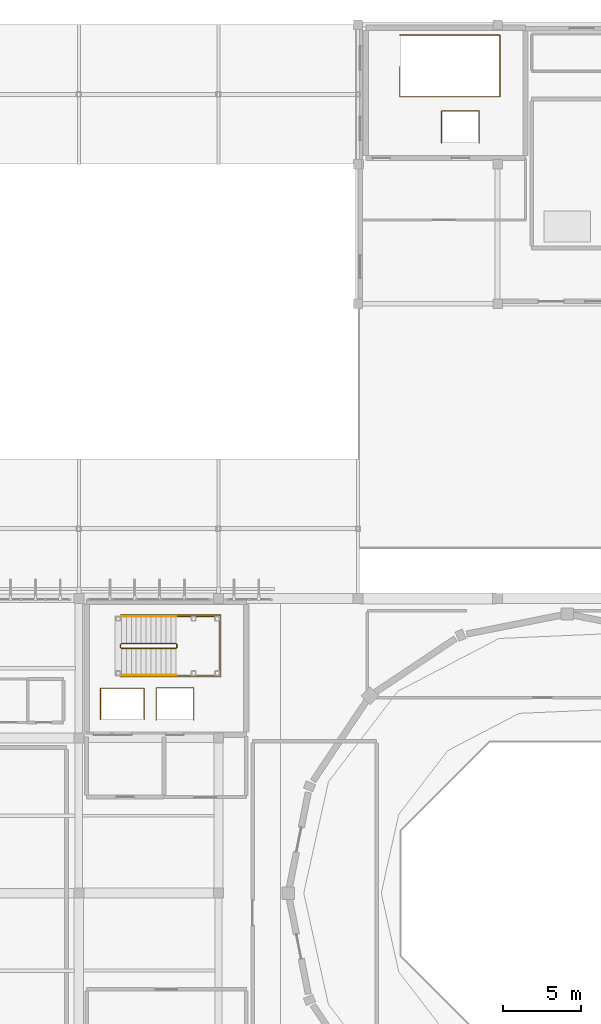
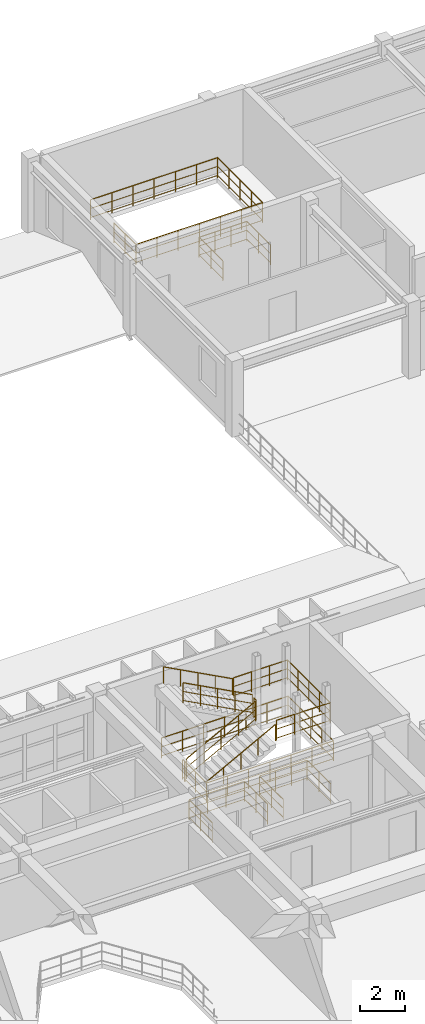
# One storey, part 78 of 80: 12 railings.
"""IFC4 building model written with IfcOpenShell, lengths in metres."""

from ifc_helpers import new_model, si_unit, direction, frame, origin, origin_2d, place, context, subcontext, project, spatial, circle, extrude, material, type_object, element, save


model = new_model("IFC4")

# Units and contexts
model_context = context("Model", 3, precision=1e-05, world=origin(), true_north=direction((0.0, 1.0)))
body_context = subcontext(model_context, "Body", "Model", "MODEL_VIEW")
ifc_project = project(units=[si_unit("LENGTHUNIT", "METRE"), si_unit("AREAUNIT", "SQUARE_METRE"), si_unit("VOLUMEUNIT", "CUBIC_METRE"), si_unit("PLANEANGLEUNIT", "RADIAN"), si_unit("MASSUNIT", "GRAM", prefix="KILO")], contexts=[model_context])

# Site, building, storey
site_placement = place(None, origin())
site = spatial("IfcSite", under=ifc_project, at=site_placement, CompositionType="ELEMENT")
building_placement = place(site_placement, origin())
building = spatial("IfcBuilding", under=site, at=building_placement, Name="Miravela Opera House", CompositionType="ELEMENT")
storey_placement = place(building_placement, frame((0.0, 0.0, 17.679931640625)))
storey = spatial("IfcBuildingStorey", under=building, at=storey_placement, Name="L04", CompositionType="ELEMENT", Elevation=17.679931640625)

# Railings
ifc_material_1 = material(Name="Brushed bronze continuous stair handrail")
railing_type_1 = type_object("IfcRailingType", Name="ARC-RAIL-HAND-900", PredefinedType="HANDRAIL", material=ifc_material_1)
railing_1_placement = place(storey_placement, frame((47.739990234375, 70.050048828125, 0.170166015625)))
element("IfcRailing", 1, at=railing_1_placement, inside=storey, type_object=railing_type_1, Name="L04 ST-01 stair handrail 1", PredefinedType="HANDRAIL", context=body_context, shape_type="SweptSolid", body=[
    extrude(circle(Radius=0.02392578125, at=origin_2d()), frame((0.0, 0.0, 0.8759765625), z_axis=(0.883129994055, 0.0, 0.469128355144), x_axis=(0.0, 1.0, 0.0)), (0.0, 0.0, 1.0), 3.98583984375),
    extrude(circle(Radius=0.02099609375, at=origin_2d()), origin(), (0.0, 0.0, 1.0), 0.851806640625),
    extrude(circle(Radius=0.02099609375, at=origin_2d()), frame((0.8798828125, 0.0, 0.467529296875)), (0.0, 0.0, 1.0), 0.851806640625),
    extrude(circle(Radius=0.02099609375, at=origin_2d()), frame((1.760009765625, 0.0, 0.93505859375)), (0.0, 0.0, 1.0), 0.851806640625),
    extrude(circle(Radius=0.02099609375, at=origin_2d()), frame((2.64013671875, 0.0, 1.40234375)), (0.0, 0.0, 1.0), 0.851806640625),
    extrude(circle(Radius=0.02099609375, at=origin_2d()), frame((3.52001953125, 0.0, 1.869873046875)), (0.0, 0.0, 1.0), 0.851806640625),
])
railing_2_placement = place(storey_placement, frame((51.260009765625, 73.830078125, 2.2099609375)))
element("IfcRailing", 2, at=railing_2_placement, inside=storey, type_object=railing_type_1, Name="L04 ST-01 stair handrail 2", PredefinedType="HANDRAIL", context=body_context, shape_type="SweptSolid", body=[
    extrude(circle(Radius=0.02392578125, at=origin_2d()), frame((0.0, 0.0, 0.8759765625), z_axis=(-0.883104616746, 0.0, 0.469176124586), x_axis=(0.0, -1.0, 0.0)), (0.0, 0.0, 1.0), 3.98583984375),
    extrude(circle(Radius=0.02099609375, at=origin_2d()), origin(), (0.0, 0.0, 1.0), 0.851806640625),
    extrude(circle(Radius=0.02099609375, at=origin_2d()), frame((-0.8798828125, 0.0, 0.467529296875)), (0.0, 0.0, 1.0), 0.851806640625),
    extrude(circle(Radius=0.02099609375, at=origin_2d()), frame((-1.760009765625, 0.0, 0.93505859375)), (0.0, 0.0, 1.0), 0.851806640625),
    extrude(circle(Radius=0.02099609375, at=origin_2d()), frame((-2.64013671875, 0.0, 1.402587890625)), (0.0, 0.0, 1.0), 0.851806640625),
    extrude(circle(Radius=0.02099609375, at=origin_2d()), frame((-3.52001953125, 0.0, 1.8701171875)), (0.0, 0.0, 1.0), 0.851806640625),
])
ifc_material_2 = material(Name="Painted wrought-iron stair guardrail")
railing_type_2 = type_object("IfcRailingType", Name="ARC-RAIL-STAIR-GUARD", PredefinedType="GUARDRAIL", material=ifc_material_2)
railing_3_placement = place(storey_placement, frame((47.739990234375, 71.7900390625, 0.170166015625)))
element("IfcRailing", 3, at=railing_3_placement, inside=storey, type_object=railing_type_2, Name="L04 ST-01 stair guard 1", PredefinedType="GUARDRAIL", context=body_context, shape_type="SweptSolid", body=[
    extrude(circle(Radius=0.02392578125, at=origin_2d()), frame((0.0, 0.0, 1.076171875), z_axis=(0.883129994055, 0.0, 0.469128355144), x_axis=(0.0, 1.0, 0.0)), (0.0, 0.0, 1.0), 3.98583984375),
    extrude(circle(Radius=0.01611328125, at=origin_2d()), frame((0.0, 0.0, 0.60498046875), z_axis=(0.883129994055, 0.0, 0.469128355144), x_axis=(0.0, 1.0, 0.0)), (0.0, 0.0, 1.0), 3.98583984375),
    extrude(circle(Radius=0.01611328125, at=origin_2d()), frame((0.0, 0.0, 0.1201171875), z_axis=(0.883129994055, 0.0, 0.469128355144), x_axis=(0.0, 1.0, 0.0)), (0.0, 0.0, 1.0), 3.98583984375),
    extrude(circle(Radius=0.02099609375, at=origin_2d()), origin(), (0.0, 0.0, 1.0), 1.052001953125),
    extrude(circle(Radius=0.02099609375, at=origin_2d()), frame((0.8798828125, 0.0, 0.467529296875)), (0.0, 0.0, 1.0), 1.052001953125),
    extrude(circle(Radius=0.02099609375, at=origin_2d()), frame((1.760009765625, 0.0, 0.93505859375)), (0.0, 0.0, 1.0), 1.052001953125),
    extrude(circle(Radius=0.02099609375, at=origin_2d()), frame((2.64013671875, 0.0, 1.40234375)), (0.0, 0.0, 1.0), 1.052001953125),
    extrude(circle(Radius=0.02099609375, at=origin_2d()), frame((3.52001953125, 0.0, 1.869873046875)), (0.0, 0.0, 1.0), 1.052001953125),
])
railing_4_placement = place(storey_placement, frame((51.31005859375, 71.840087890625, 2.0400390625)))
element("IfcRailing", 4, at=railing_4_placement, inside=storey, type_object=railing_type_2, Name="L04 ST-01 stair guard 2", PredefinedType="GUARDRAIL", context=body_context, shape_type="SweptSolid", body=[
    extrude(circle(Radius=0.02392578125, at=origin_2d()), frame((0.0, 0.0, 1.076171875), z_axis=(0.0, 1.0, 0.0), x_axis=(-1.0, 0.0, 0.0)), (0.0, 0.0, 1.0), 0.199951171875),
    extrude(circle(Radius=0.01611328125, at=origin_2d()), frame((0.0, 0.0, 0.60498046875), z_axis=(0.0, 1.0, 0.0), x_axis=(-1.0, 0.0, 0.0)), (0.0, 0.0, 1.0), 0.199951171875),
    extrude(circle(Radius=0.01611328125, at=origin_2d()), frame((0.0, 0.0, 0.1201171875), z_axis=(0.0, 1.0, 0.0), x_axis=(-1.0, 0.0, 0.0)), (0.0, 0.0, 1.0), 0.199951171875),
    extrude(circle(Radius=0.02099609375, at=origin_2d()), origin(), (0.0, 0.0, 1.0), 1.052001953125),
    extrude(circle(Radius=0.02099609375, at=origin_2d()), frame((0.0, 0.199951171875, 0.0)), (0.0, 0.0, 1.0), 1.052001953125),
])
railing_5_placement = place(storey_placement, frame((51.260009765625, 72.090087890625, 2.2099609375)))
element("IfcRailing", 5, at=railing_5_placement, inside=storey, type_object=railing_type_2, Name="L04 ST-01 stair guard 3", PredefinedType="GUARDRAIL", context=body_context, shape_type="SweptSolid", body=[
    extrude(circle(Radius=0.02392578125, at=origin_2d()), frame((0.0, 0.0, 1.076171875), z_axis=(-0.883104616746, 0.0, 0.469176124586), x_axis=(0.0, -1.0, 0.0)), (0.0, 0.0, 1.0), 3.98583984375),
    extrude(circle(Radius=0.01611328125, at=origin_2d()), frame((0.0, 0.0, 0.60498046875), z_axis=(-0.883104616746, 0.0, 0.469176124586), x_axis=(0.0, -1.0, 0.0)), (0.0, 0.0, 1.0), 3.98583984375),
    extrude(circle(Radius=0.01611328125, at=origin_2d()), frame((0.0, 0.0, 0.1201171875), z_axis=(-0.883104616746, 0.0, 0.469176124586), x_axis=(0.0, -1.0, 0.0)), (0.0, 0.0, 1.0), 3.98583984375),
    extrude(circle(Radius=0.02099609375, at=origin_2d()), origin(), (0.0, 0.0, 1.0), 1.052001953125),
    extrude(circle(Radius=0.02099609375, at=origin_2d()), frame((-0.8798828125, 0.0, 0.467529296875)), (0.0, 0.0, 1.0), 1.052001953125),
    extrude(circle(Radius=0.02099609375, at=origin_2d()), frame((-1.760009765625, 0.0, 0.93505859375)), (0.0, 0.0, 1.0), 1.052001953125),
    extrude(circle(Radius=0.02099609375, at=origin_2d()), frame((-2.64013671875, 0.0, 1.402587890625)), (0.0, 0.0, 1.0), 1.052001953125),
    extrude(circle(Radius=0.02099609375, at=origin_2d()), frame((-3.52001953125, 0.0, 1.8701171875)), (0.0, 0.0, 1.0), 1.052001953125),
])
railing_6_placement = place(storey_placement, frame((47.68994140625, 71.840087890625, 0.0)))
element("IfcRailing", 6, at=railing_6_placement, inside=storey, type_object=railing_type_2, Name="L04 ST-01 stair guard 4", PredefinedType="GUARDRAIL", context=body_context, shape_type="SweptSolid", body=[
    extrude(circle(Radius=0.02392578125, at=origin_2d()), frame((0.0, 0.0, 1.076171875), z_axis=(0.0, 1.0, 0.0), x_axis=(-1.0, 0.0, 0.0)), (0.0, 0.0, 1.0), 0.199951171875),
    extrude(circle(Radius=0.01611328125, at=origin_2d()), frame((0.0, 0.0, 0.60498046875), z_axis=(0.0, 1.0, 0.0), x_axis=(-1.0, 0.0, 0.0)), (0.0, 0.0, 1.0), 0.199951171875),
    extrude(circle(Radius=0.01611328125, at=origin_2d()), frame((0.0, 0.0, 0.1201171875), z_axis=(0.0, 1.0, 0.0), x_axis=(-1.0, 0.0, 0.0)), (0.0, 0.0, 1.0), 0.199951171875),
    extrude(circle(Radius=0.02099609375, at=origin_2d()), origin(), (0.0, 0.0, 1.0), 1.052001953125),
    extrude(circle(Radius=0.02099609375, at=origin_2d()), frame((0.0, 0.199951171875, 0.0)), (0.0, 0.0, 1.0), 1.052001953125),
])
railing_7_placement = place(storey_placement, frame((51.31005859375, 70.050048828125, 2.0400390625)))
element("IfcRailing", 7, at=railing_7_placement, inside=storey, type_object=railing_type_2, Name="Stair ST-01 Half-Landing Perimeter Guard (L04) 0006", PredefinedType="GUARDRAIL", context=body_context, shape_type="SweptSolid", body=[
    extrude(circle(Radius=0.02392578125, at=origin_2d()), frame((0.0, 0.0, 1.076171875), z_axis=(1.0, 0.0, 0.0), x_axis=(0.0, 1.0, 0.0)), (0.0, 0.0, 1.0), 2.739990234375),
    extrude(circle(Radius=0.01611328125, at=origin_2d()), frame((0.0, 0.0, 0.60498046875), z_axis=(1.0, 0.0, 0.0), x_axis=(0.0, 1.0, 0.0)), (0.0, 0.0, 1.0), 2.739990234375),
    extrude(circle(Radius=0.01611328125, at=origin_2d()), frame((0.0, 0.0, 0.1201171875), z_axis=(1.0, 0.0, 0.0), x_axis=(0.0, 1.0, 0.0)), (0.0, 0.0, 1.0), 2.739990234375),
    extrude(circle(Radius=0.02392578125, at=origin_2d()), frame((2.739990234375, 0.0, 1.076171875), z_axis=(0.0, 1.0, 0.0), x_axis=(-1.0, 0.0, 0.0)), (0.0, 0.0, 1.0), 3.780029296875),
    extrude(circle(Radius=0.01611328125, at=origin_2d()), frame((2.739990234375, 0.0, 0.60498046875), z_axis=(0.0, 1.0, 0.0), x_axis=(-1.0, 0.0, 0.0)), (0.0, 0.0, 1.0), 3.780029296875),
    extrude(circle(Radius=0.01611328125, at=origin_2d()), frame((2.739990234375, 0.0, 0.1201171875), z_axis=(0.0, 1.0, 0.0), x_axis=(-1.0, 0.0, 0.0)), (0.0, 0.0, 1.0), 3.780029296875),
    extrude(circle(Radius=0.02392578125, at=origin_2d()), frame((2.739990234375, 3.780029296875, 1.076171875), z_axis=(-1.0, 0.0, 0.0), x_axis=(0.0, -1.0, 0.0)), (0.0, 0.0, 1.0), 2.739990234375),
    extrude(circle(Radius=0.01611328125, at=origin_2d()), frame((2.739990234375, 3.780029296875, 0.60498046875), z_axis=(-1.0, 0.0, 0.0), x_axis=(0.0, -1.0, 0.0)), (0.0, 0.0, 1.0), 2.739990234375),
    extrude(circle(Radius=0.01611328125, at=origin_2d()), frame((2.739990234375, 3.780029296875, 0.1201171875), z_axis=(-1.0, 0.0, 0.0), x_axis=(0.0, -1.0, 0.0)), (0.0, 0.0, 1.0), 2.739990234375),
    extrude(circle(Radius=0.02099609375, at=origin_2d()), origin(), (0.0, 0.0, 1.0), 1.052001953125),
    extrude(circle(Radius=0.02099609375, at=origin_2d()), frame((0.913330078125, 0.0, 0.0)), (0.0, 0.0, 1.0), 1.052001953125),
    extrude(circle(Radius=0.02099609375, at=origin_2d()), frame((1.82666015625, 0.0, 0.0)), (0.0, 0.0, 1.0), 1.052001953125),
    extrude(circle(Radius=0.02099609375, at=origin_2d()), frame((2.739990234375, 0.0, 0.0)), (0.0, 0.0, 1.0), 1.052001953125),
    extrude(circle(Radius=0.02099609375, at=origin_2d()), frame((2.739990234375, 0.945068359375, 0.0)), (0.0, 0.0, 1.0), 1.052001953125),
    extrude(circle(Radius=0.02099609375, at=origin_2d()), frame((2.739990234375, 1.89013671875, 0.0)), (0.0, 0.0, 1.0), 1.052001953125),
    extrude(circle(Radius=0.02099609375, at=origin_2d()), frame((2.739990234375, 2.8349609375, 0.0)), (0.0, 0.0, 1.0), 1.052001953125),
    extrude(circle(Radius=0.02099609375, at=origin_2d()), frame((2.739990234375, 3.780029296875, 0.0)), (0.0, 0.0, 1.0), 1.052001953125),
    extrude(circle(Radius=0.02099609375, at=origin_2d()), frame((1.82666015625, 3.780029296875, 0.0)), (0.0, 0.0, 1.0), 1.052001953125),
    extrude(circle(Radius=0.02099609375, at=origin_2d()), frame((0.913330078125, 3.780029296875, 0.0)), (0.0, 0.0, 1.0), 1.052001953125),
    extrude(circle(Radius=0.02099609375, at=origin_2d()), frame((0.0, 3.780029296875, 0.0)), (0.0, 0.0, 1.0), 1.052001953125),
])
railing_8_placement = place(storey_placement, frame((47.68994140625, 71.8701171875, 0.0)))
element("IfcRailing", 8, at=railing_8_placement, inside=storey, type_object=railing_type_2, Name="Stair ST-01 Well Slab Opening Guard (L04) 0011", PredefinedType="GUARDRAIL", context=body_context, shape_type="SweptSolid", body=[
    extrude(circle(Radius=0.02392578125, at=origin_2d()), frame((0.0, 0.0, 1.076171875), z_axis=(0.0, -1.0, 0.0), x_axis=(1.0, 0.0, 0.0)), (0.0, 0.0, 1.0), 1.920166015625),
    extrude(circle(Radius=0.01611328125, at=origin_2d()), frame((0.0, 0.0, 0.60498046875), z_axis=(0.0, -1.0, 0.0), x_axis=(1.0, 0.0, 0.0)), (0.0, 0.0, 1.0), 1.920166015625),
    extrude(circle(Radius=0.01611328125, at=origin_2d()), frame((0.0, 0.0, 0.1201171875), z_axis=(0.0, -1.0, 0.0), x_axis=(1.0, 0.0, 0.0)), (0.0, 0.0, 1.0), 1.920166015625),
    extrude(circle(Radius=0.02392578125, at=origin_2d()), frame((0.0, -1.920166015625, 1.076171875), z_axis=(1.0, 0.0, 0.0), x_axis=(0.0, 1.0, 0.0)), (0.0, 0.0, 1.0), 6.4599609375),
    extrude(circle(Radius=0.01611328125, at=origin_2d()), frame((0.0, -1.920166015625, 0.60498046875), z_axis=(1.0, 0.0, 0.0), x_axis=(0.0, 1.0, 0.0)), (0.0, 0.0, 1.0), 6.4599609375),
    extrude(circle(Radius=0.01611328125, at=origin_2d()), frame((0.0, -1.920166015625, 0.1201171875), z_axis=(1.0, 0.0, 0.0), x_axis=(0.0, 1.0, 0.0)), (0.0, 0.0, 1.0), 6.4599609375),
    extrude(circle(Radius=0.02392578125, at=origin_2d()), frame((6.4599609375, -1.920166015625, 1.076171875), z_axis=(0.0, 1.0, 0.0), x_axis=(-1.0, 0.0, 0.0)), (0.0, 0.0, 1.0), 3.97998046875),
    extrude(circle(Radius=0.01611328125, at=origin_2d()), frame((6.4599609375, -1.920166015625, 0.60498046875), z_axis=(0.0, 1.0, 0.0), x_axis=(-1.0, 0.0, 0.0)), (0.0, 0.0, 1.0), 3.97998046875),
    extrude(circle(Radius=0.01611328125, at=origin_2d()), frame((6.4599609375, -1.920166015625, 0.1201171875), z_axis=(0.0, 1.0, 0.0), x_axis=(-1.0, 0.0, 0.0)), (0.0, 0.0, 1.0), 3.97998046875),
    extrude(circle(Radius=0.02392578125, at=origin_2d()), frame((6.4599609375, 2.059814453125, 1.076171875), z_axis=(-1.0, 0.0, 0.0), x_axis=(0.0, -1.0, 0.0)), (0.0, 0.0, 1.0), 6.4599609375),
    extrude(circle(Radius=0.01611328125, at=origin_2d()), frame((6.4599609375, 2.059814453125, 0.60498046875), z_axis=(-1.0, 0.0, 0.0), x_axis=(0.0, -1.0, 0.0)), (0.0, 0.0, 1.0), 6.4599609375),
    extrude(circle(Radius=0.01611328125, at=origin_2d()), frame((6.4599609375, 2.059814453125, 0.1201171875), z_axis=(-1.0, 0.0, 0.0), x_axis=(0.0, -1.0, 0.0)), (0.0, 0.0, 1.0), 6.4599609375),
    extrude(circle(Radius=0.02099609375, at=origin_2d()), origin(), (0.0, 0.0, 1.0), 1.052001953125),
    extrude(circle(Radius=0.02099609375, at=origin_2d()), frame((0.0, -0.9599609375, 0.0)), (0.0, 0.0, 1.0), 1.052001953125),
    extrude(circle(Radius=0.02099609375, at=origin_2d()), frame((0.0, -1.920166015625, 0.0)), (0.0, 0.0, 1.0), 1.052001953125),
    extrude(circle(Radius=0.02099609375, at=origin_2d()), frame((1.07666015625, -1.920166015625, 0.0)), (0.0, 0.0, 1.0), 1.052001953125),
    extrude(circle(Radius=0.02099609375, at=origin_2d()), frame((2.1533203125, -1.920166015625, 0.0)), (0.0, 0.0, 1.0), 1.052001953125),
    extrude(circle(Radius=0.02099609375, at=origin_2d()), frame((3.22998046875, -1.920166015625, 0.0)), (0.0, 0.0, 1.0), 1.052001953125),
    extrude(circle(Radius=0.02099609375, at=origin_2d()), frame((4.306640625, -1.920166015625, 0.0)), (0.0, 0.0, 1.0), 1.052001953125),
    extrude(circle(Radius=0.02099609375, at=origin_2d()), frame((5.38330078125, -1.920166015625, 0.0)), (0.0, 0.0, 1.0), 1.052001953125),
    extrude(circle(Radius=0.02099609375, at=origin_2d()), frame((6.4599609375, -1.920166015625, 0.0)), (0.0, 0.0, 1.0), 1.052001953125),
    extrude(circle(Radius=0.02099609375, at=origin_2d()), frame((6.4599609375, -0.92529296875, 0.0)), (0.0, 0.0, 1.0), 1.052001953125),
    extrude(circle(Radius=0.02099609375, at=origin_2d()), frame((6.4599609375, 0.06982421875, 0.0)), (0.0, 0.0, 1.0), 1.052001953125),
    extrude(circle(Radius=0.02099609375, at=origin_2d()), frame((6.4599609375, 1.06494140625, 0.0)), (0.0, 0.0, 1.0), 1.052001953125),
    extrude(circle(Radius=0.02099609375, at=origin_2d()), frame((6.4599609375, 2.059814453125, 0.0)), (0.0, 0.0, 1.0), 1.052001953125),
    extrude(circle(Radius=0.02099609375, at=origin_2d()), frame((5.38330078125, 2.059814453125, 0.0)), (0.0, 0.0, 1.0), 1.052001953125),
    extrude(circle(Radius=0.02099609375, at=origin_2d()), frame((4.306640625, 2.059814453125, 0.0)), (0.0, 0.0, 1.0), 1.052001953125),
    extrude(circle(Radius=0.02099609375, at=origin_2d()), frame((3.22998046875, 2.059814453125, 0.0)), (0.0, 0.0, 1.0), 1.052001953125),
    extrude(circle(Radius=0.02099609375, at=origin_2d()), frame((2.1533203125, 2.059814453125, 0.0)), (0.0, 0.0, 1.0), 1.052001953125),
    extrude(circle(Radius=0.02099609375, at=origin_2d()), frame((1.07666015625, 2.059814453125, 0.0)), (0.0, 0.0, 1.0), 1.052001953125),
    extrude(circle(Radius=0.02099609375, at=origin_2d()), frame((0.0, 2.059814453125, 0.0)), (0.0, 0.0, 1.0), 1.052001953125),
])
railing_9_placement = place(storey_placement, frame((65.68994140625, 109.27001953125, 0.0)))
element("IfcRailing", 9, at=railing_9_placement, inside=storey, type_object=railing_type_2, Name="Stair ST-05 Well Slab Opening Guard (L04) 0058", PredefinedType="GUARDRAIL", context=body_context, shape_type="SweptSolid", body=[
    extrude(circle(Radius=0.02392578125, at=origin_2d()), frame((0.0, 0.0, 1.076171875), z_axis=(0.0, -1.0, 0.0), x_axis=(1.0, 0.0, 0.0)), (0.0, 0.0, 1.0), 1.919921875),
    extrude(circle(Radius=0.01611328125, at=origin_2d()), frame((0.0, 0.0, 0.60498046875), z_axis=(0.0, -1.0, 0.0), x_axis=(1.0, 0.0, 0.0)), (0.0, 0.0, 1.0), 1.919921875),
    extrude(circle(Radius=0.01611328125, at=origin_2d()), frame((0.0, 0.0, 0.1201171875), z_axis=(0.0, -1.0, 0.0), x_axis=(1.0, 0.0, 0.0)), (0.0, 0.0, 1.0), 1.919921875),
    extrude(circle(Radius=0.02392578125, at=origin_2d()), frame((0.0, -1.919921875, 1.076171875), z_axis=(1.0, 0.0, 0.0), x_axis=(0.0, 1.0, 0.0)), (0.0, 0.0, 1.0), 6.4599609375),
    extrude(circle(Radius=0.01611328125, at=origin_2d()), frame((0.0, -1.919921875, 0.60498046875), z_axis=(1.0, 0.0, 0.0), x_axis=(0.0, 1.0, 0.0)), (0.0, 0.0, 1.0), 6.4599609375),
    extrude(circle(Radius=0.01611328125, at=origin_2d()), frame((0.0, -1.919921875, 0.1201171875), z_axis=(1.0, 0.0, 0.0), x_axis=(0.0, 1.0, 0.0)), (0.0, 0.0, 1.0), 6.4599609375),
    extrude(circle(Radius=0.02392578125, at=origin_2d()), frame((6.4599609375, -1.919921875, 1.076171875), z_axis=(0.0, 1.0, 0.0), x_axis=(-1.0, 0.0, 0.0)), (0.0, 0.0, 1.0), 3.97998046875),
    extrude(circle(Radius=0.01611328125, at=origin_2d()), frame((6.4599609375, -1.919921875, 0.60498046875), z_axis=(0.0, 1.0, 0.0), x_axis=(-1.0, 0.0, 0.0)), (0.0, 0.0, 1.0), 3.97998046875),
    extrude(circle(Radius=0.01611328125, at=origin_2d()), frame((6.4599609375, -1.919921875, 0.1201171875), z_axis=(0.0, 1.0, 0.0), x_axis=(-1.0, 0.0, 0.0)), (0.0, 0.0, 1.0), 3.97998046875),
    extrude(circle(Radius=0.02392578125, at=origin_2d()), frame((6.4599609375, 2.06005859375, 1.076171875), z_axis=(-1.0, 0.0, 0.0), x_axis=(0.0, -1.0, 0.0)), (0.0, 0.0, 1.0), 6.4599609375),
    extrude(circle(Radius=0.01611328125, at=origin_2d()), frame((6.4599609375, 2.06005859375, 0.60498046875), z_axis=(-1.0, 0.0, 0.0), x_axis=(0.0, -1.0, 0.0)), (0.0, 0.0, 1.0), 6.4599609375),
    extrude(circle(Radius=0.01611328125, at=origin_2d()), frame((6.4599609375, 2.06005859375, 0.1201171875), z_axis=(-1.0, 0.0, 0.0), x_axis=(0.0, -1.0, 0.0)), (0.0, 0.0, 1.0), 6.4599609375),
    extrude(circle(Radius=0.02099609375, at=origin_2d()), origin(), (0.0, 0.0, 1.0), 1.052001953125),
    extrude(circle(Radius=0.02099609375, at=origin_2d()), frame((0.0, -0.9599609375, 0.0)), (0.0, 0.0, 1.0), 1.052001953125),
    extrude(circle(Radius=0.02099609375, at=origin_2d()), frame((0.0, -1.919921875, 0.0)), (0.0, 0.0, 1.0), 1.052001953125),
    extrude(circle(Radius=0.02099609375, at=origin_2d()), frame((1.07666015625, -1.919921875, 0.0)), (0.0, 0.0, 1.0), 1.052001953125),
    extrude(circle(Radius=0.02099609375, at=origin_2d()), frame((2.1533203125, -1.919921875, 0.0)), (0.0, 0.0, 1.0), 1.052001953125),
    extrude(circle(Radius=0.02099609375, at=origin_2d()), frame((3.22998046875, -1.919921875, 0.0)), (0.0, 0.0, 1.0), 1.052001953125),
    extrude(circle(Radius=0.02099609375, at=origin_2d()), frame((4.306640625, -1.919921875, 0.0)), (0.0, 0.0, 1.0), 1.052001953125),
    extrude(circle(Radius=0.02099609375, at=origin_2d()), frame((5.38330078125, -1.919921875, 0.0)), (0.0, 0.0, 1.0), 1.052001953125),
    extrude(circle(Radius=0.02099609375, at=origin_2d()), frame((6.4599609375, -1.919921875, 0.0)), (0.0, 0.0, 1.0), 1.052001953125),
    extrude(circle(Radius=0.02099609375, at=origin_2d()), frame((6.4599609375, -0.9248046875, 0.0)), (0.0, 0.0, 1.0), 1.052001953125),
    extrude(circle(Radius=0.02099609375, at=origin_2d()), frame((6.4599609375, 0.070068359375, 0.0)), (0.0, 0.0, 1.0), 1.052001953125),
    extrude(circle(Radius=0.02099609375, at=origin_2d()), frame((6.4599609375, 1.06494140625, 0.0)), (0.0, 0.0, 1.0), 1.052001953125),
    extrude(circle(Radius=0.02099609375, at=origin_2d()), frame((6.4599609375, 2.06005859375, 0.0)), (0.0, 0.0, 1.0), 1.052001953125),
    extrude(circle(Radius=0.02099609375, at=origin_2d()), frame((5.38330078125, 2.06005859375, 0.0)), (0.0, 0.0, 1.0), 1.052001953125),
    extrude(circle(Radius=0.02099609375, at=origin_2d()), frame((4.306640625, 2.06005859375, 0.0)), (0.0, 0.0, 1.0), 1.052001953125),
    extrude(circle(Radius=0.02099609375, at=origin_2d()), frame((3.22998046875, 2.06005859375, 0.0)), (0.0, 0.0, 1.0), 1.052001953125),
    extrude(circle(Radius=0.02099609375, at=origin_2d()), frame((2.1533203125, 2.06005859375, 0.0)), (0.0, 0.0, 1.0), 1.052001953125),
    extrude(circle(Radius=0.02099609375, at=origin_2d()), frame((1.07666015625, 2.06005859375, 0.0)), (0.0, 0.0, 1.0), 1.052001953125),
    extrude(circle(Radius=0.02099609375, at=origin_2d()), frame((0.0, 2.06005859375, 0.0)), (0.0, 0.0, 1.0), 1.052001953125),
])
railing_10_placement = place(storey_placement, frame((46.389892578125, 67.18505859375, 0.0)))
element("IfcRailing", 10, at=railing_10_placement, inside=storey, type_object=railing_type_2, Name="Lift FFL-01 Hoistway Slab Opening Guard (L04) 0097", PredefinedType="GUARDRAIL", context=body_context, shape_type="SweptSolid", body=[
    extrude(circle(Radius=0.02392578125, at=origin_2d()), frame((0.0, 0.0, 1.076171875), z_axis=(0.0, 1.0, 0.0), x_axis=(-1.0, 0.0, 0.0)), (0.0, 0.0, 1.0), 2.030029296875),
    extrude(circle(Radius=0.01611328125, at=origin_2d()), frame((0.0, 0.0, 0.60498046875), z_axis=(0.0, 1.0, 0.0), x_axis=(-1.0, 0.0, 0.0)), (0.0, 0.0, 1.0), 2.030029296875),
    extrude(circle(Radius=0.01611328125, at=origin_2d()), frame((0.0, 0.0, 0.1201171875), z_axis=(0.0, 1.0, 0.0), x_axis=(-1.0, 0.0, 0.0)), (0.0, 0.0, 1.0), 2.030029296875),
    extrude(circle(Radius=0.02392578125, at=origin_2d()), frame((0.0, 2.030029296875, 1.076171875), z_axis=(1.0, 0.0, 0.0), x_axis=(0.0, 1.0, 0.0)), (0.0, 0.0, 1.0), 2.820068359375),
    extrude(circle(Radius=0.01611328125, at=origin_2d()), frame((0.0, 2.030029296875, 0.60498046875), z_axis=(1.0, 0.0, 0.0), x_axis=(0.0, 1.0, 0.0)), (0.0, 0.0, 1.0), 2.820068359375),
    extrude(circle(Radius=0.01611328125, at=origin_2d()), frame((0.0, 2.030029296875, 0.1201171875), z_axis=(1.0, 0.0, 0.0), x_axis=(0.0, 1.0, 0.0)), (0.0, 0.0, 1.0), 2.820068359375),
    extrude(circle(Radius=0.02392578125, at=origin_2d()), frame((2.820068359375, 2.030029296875, 1.076171875), z_axis=(0.0, -1.0, 0.0), x_axis=(1.0, 0.0, 0.0)), (0.0, 0.0, 1.0), 2.030029296875),
    extrude(circle(Radius=0.01611328125, at=origin_2d()), frame((2.820068359375, 2.030029296875, 0.60498046875), z_axis=(0.0, -1.0, 0.0), x_axis=(1.0, 0.0, 0.0)), (0.0, 0.0, 1.0), 2.030029296875),
    extrude(circle(Radius=0.01611328125, at=origin_2d()), frame((2.820068359375, 2.030029296875, 0.1201171875), z_axis=(0.0, -1.0, 0.0), x_axis=(1.0, 0.0, 0.0)), (0.0, 0.0, 1.0), 2.030029296875),
    extrude(circle(Radius=0.02099609375, at=origin_2d()), origin(), (0.0, 0.0, 1.0), 1.052001953125),
    extrude(circle(Radius=0.02099609375, at=origin_2d()), frame((0.0, 1.01513671875, 0.0)), (0.0, 0.0, 1.0), 1.052001953125),
    extrude(circle(Radius=0.02099609375, at=origin_2d()), frame((0.0, 2.030029296875, 0.0)), (0.0, 0.0, 1.0), 1.052001953125),
    extrude(circle(Radius=0.02099609375, at=origin_2d()), frame((0.93994140625, 2.030029296875, 0.0)), (0.0, 0.0, 1.0), 1.052001953125),
    extrude(circle(Radius=0.02099609375, at=origin_2d()), frame((1.880126953125, 2.030029296875, 0.0)), (0.0, 0.0, 1.0), 1.052001953125),
    extrude(circle(Radius=0.02099609375, at=origin_2d()), frame((2.820068359375, 2.030029296875, 0.0)), (0.0, 0.0, 1.0), 1.052001953125),
    extrude(circle(Radius=0.02099609375, at=origin_2d()), frame((2.820068359375, 1.01513671875, 0.0)), (0.0, 0.0, 1.0), 1.052001953125),
    extrude(circle(Radius=0.02099609375, at=origin_2d()), frame((2.820068359375, 0.0, 0.0)), (0.0, 0.0, 1.0), 1.052001953125),
])
railing_11_placement = place(storey_placement, frame((49.989990234375, 67.159912109375, 0.0)))
element("IfcRailing", 11, at=railing_11_placement, inside=storey, type_object=railing_type_2, Name="Lift PL-01 Hoistway Slab Opening Guard (L04) 0103", PredefinedType="GUARDRAIL", context=body_context, shape_type="SweptSolid", body=[
    extrude(circle(Radius=0.02392578125, at=origin_2d()), frame((0.0, 0.0, 1.076171875), z_axis=(0.0, 1.0, 0.0), x_axis=(-1.0, 0.0, 0.0)), (0.0, 0.0, 1.0), 2.080078125),
    extrude(circle(Radius=0.01611328125, at=origin_2d()), frame((0.0, 0.0, 0.60498046875), z_axis=(0.0, 1.0, 0.0), x_axis=(-1.0, 0.0, 0.0)), (0.0, 0.0, 1.0), 2.080078125),
    extrude(circle(Radius=0.01611328125, at=origin_2d()), frame((0.0, 0.0, 0.1201171875), z_axis=(0.0, 1.0, 0.0), x_axis=(-1.0, 0.0, 0.0)), (0.0, 0.0, 1.0), 2.080078125),
    extrude(circle(Radius=0.02392578125, at=origin_2d()), frame((0.0, 2.080078125, 1.076171875), z_axis=(1.0, 0.0, 0.0), x_axis=(0.0, 1.0, 0.0)), (0.0, 0.0, 1.0), 2.419921875),
    extrude(circle(Radius=0.01611328125, at=origin_2d()), frame((0.0, 2.080078125, 0.60498046875), z_axis=(1.0, 0.0, 0.0), x_axis=(0.0, 1.0, 0.0)), (0.0, 0.0, 1.0), 2.419921875),
    extrude(circle(Radius=0.01611328125, at=origin_2d()), frame((0.0, 2.080078125, 0.1201171875), z_axis=(1.0, 0.0, 0.0), x_axis=(0.0, 1.0, 0.0)), (0.0, 0.0, 1.0), 2.419921875),
    extrude(circle(Radius=0.02392578125, at=origin_2d()), frame((2.419921875, 2.080078125, 1.076171875), z_axis=(0.0, -1.0, 0.0), x_axis=(1.0, 0.0, 0.0)), (0.0, 0.0, 1.0), 2.080078125),
    extrude(circle(Radius=0.01611328125, at=origin_2d()), frame((2.419921875, 2.080078125, 0.60498046875), z_axis=(0.0, -1.0, 0.0), x_axis=(1.0, 0.0, 0.0)), (0.0, 0.0, 1.0), 2.080078125),
    extrude(circle(Radius=0.01611328125, at=origin_2d()), frame((2.419921875, 2.080078125, 0.1201171875), z_axis=(0.0, -1.0, 0.0), x_axis=(1.0, 0.0, 0.0)), (0.0, 0.0, 1.0), 2.080078125),
    extrude(circle(Radius=0.02099609375, at=origin_2d()), origin(), (0.0, 0.0, 1.0), 1.052001953125),
    extrude(circle(Radius=0.02099609375, at=origin_2d()), frame((0.0, 1.0400390625, 0.0)), (0.0, 0.0, 1.0), 1.052001953125),
    extrude(circle(Radius=0.02099609375, at=origin_2d()), frame((0.0, 2.080078125, 0.0)), (0.0, 0.0, 1.0), 1.052001953125),
    extrude(circle(Radius=0.02099609375, at=origin_2d()), frame((0.806640625, 2.080078125, 0.0)), (0.0, 0.0, 1.0), 1.052001953125),
    extrude(circle(Radius=0.02099609375, at=origin_2d()), frame((1.61328125, 2.080078125, 0.0)), (0.0, 0.0, 1.0), 1.052001953125),
    extrude(circle(Radius=0.02099609375, at=origin_2d()), frame((2.419921875, 2.080078125, 0.0)), (0.0, 0.0, 1.0), 1.052001953125),
    extrude(circle(Radius=0.02099609375, at=origin_2d()), frame((2.419921875, 1.0400390625, 0.0)), (0.0, 0.0, 1.0), 1.052001953125),
    extrude(circle(Radius=0.02099609375, at=origin_2d()), frame((2.419921875, 0.0, 0.0)), (0.0, 0.0, 1.0), 1.052001953125),
])
railing_12_placement = place(storey_placement, frame((68.389892578125, 104.360107421875, 0.0)))
element("IfcRailing", 12, at=railing_12_placement, inside=storey, type_object=railing_type_2, Name="Lift PL-04 Hoistway Slab Opening Guard (L04) 0138", PredefinedType="GUARDRAIL", context=body_context, shape_type="SweptSolid", body=[
    extrude(circle(Radius=0.02392578125, at=origin_2d()), frame((0.0, 0.0, 1.076171875), z_axis=(0.0, 1.0, 0.0), x_axis=(-1.0, 0.0, 0.0)), (0.0, 0.0, 1.0), 2.079833984375),
    extrude(circle(Radius=0.01611328125, at=origin_2d()), frame((0.0, 0.0, 0.60498046875), z_axis=(0.0, 1.0, 0.0), x_axis=(-1.0, 0.0, 0.0)), (0.0, 0.0, 1.0), 2.079833984375),
    extrude(circle(Radius=0.01611328125, at=origin_2d()), frame((0.0, 0.0, 0.1201171875), z_axis=(0.0, 1.0, 0.0), x_axis=(-1.0, 0.0, 0.0)), (0.0, 0.0, 1.0), 2.079833984375),
    extrude(circle(Radius=0.02392578125, at=origin_2d()), frame((0.0, 2.079833984375, 1.076171875), z_axis=(1.0, 0.0, 0.0), x_axis=(0.0, 1.0, 0.0)), (0.0, 0.0, 1.0), 2.420166015625),
    extrude(circle(Radius=0.01611328125, at=origin_2d()), frame((0.0, 2.079833984375, 0.60498046875), z_axis=(1.0, 0.0, 0.0), x_axis=(0.0, 1.0, 0.0)), (0.0, 0.0, 1.0), 2.420166015625),
    extrude(circle(Radius=0.01611328125, at=origin_2d()), frame((0.0, 2.079833984375, 0.1201171875), z_axis=(1.0, 0.0, 0.0), x_axis=(0.0, 1.0, 0.0)), (0.0, 0.0, 1.0), 2.420166015625),
    extrude(circle(Radius=0.02392578125, at=origin_2d()), frame((2.420166015625, 2.079833984375, 1.076171875), z_axis=(0.0, -1.0, 0.0), x_axis=(1.0, 0.0, 0.0)), (0.0, 0.0, 1.0), 2.079833984375),
    extrude(circle(Radius=0.01611328125, at=origin_2d()), frame((2.420166015625, 2.079833984375, 0.60498046875), z_axis=(0.0, -1.0, 0.0), x_axis=(1.0, 0.0, 0.0)), (0.0, 0.0, 1.0), 2.079833984375),
    extrude(circle(Radius=0.01611328125, at=origin_2d()), frame((2.420166015625, 2.079833984375, 0.1201171875), z_axis=(0.0, -1.0, 0.0), x_axis=(1.0, 0.0, 0.0)), (0.0, 0.0, 1.0), 2.079833984375),
    extrude(circle(Radius=0.02099609375, at=origin_2d()), origin(), (0.0, 0.0, 1.0), 1.052001953125),
    extrude(circle(Radius=0.02099609375, at=origin_2d()), frame((0.0, 1.0400390625, 0.0)), (0.0, 0.0, 1.0), 1.052001953125),
    extrude(circle(Radius=0.02099609375, at=origin_2d()), frame((0.0, 2.079833984375, 0.0)), (0.0, 0.0, 1.0), 1.052001953125),
    extrude(circle(Radius=0.02099609375, at=origin_2d()), frame((0.806640625, 2.079833984375, 0.0)), (0.0, 0.0, 1.0), 1.052001953125),
    extrude(circle(Radius=0.02099609375, at=origin_2d()), frame((1.613525390625, 2.079833984375, 0.0)), (0.0, 0.0, 1.0), 1.052001953125),
    extrude(circle(Radius=0.02099609375, at=origin_2d()), frame((2.420166015625, 2.079833984375, 0.0)), (0.0, 0.0, 1.0), 1.052001953125),
    extrude(circle(Radius=0.02099609375, at=origin_2d()), frame((2.420166015625, 1.0400390625, 0.0)), (0.0, 0.0, 1.0), 1.052001953125),
    extrude(circle(Radius=0.02099609375, at=origin_2d()), frame((2.420166015625, 0.0, 0.0)), (0.0, 0.0, 1.0), 1.052001953125),
])

save(model, "model.ifc")
